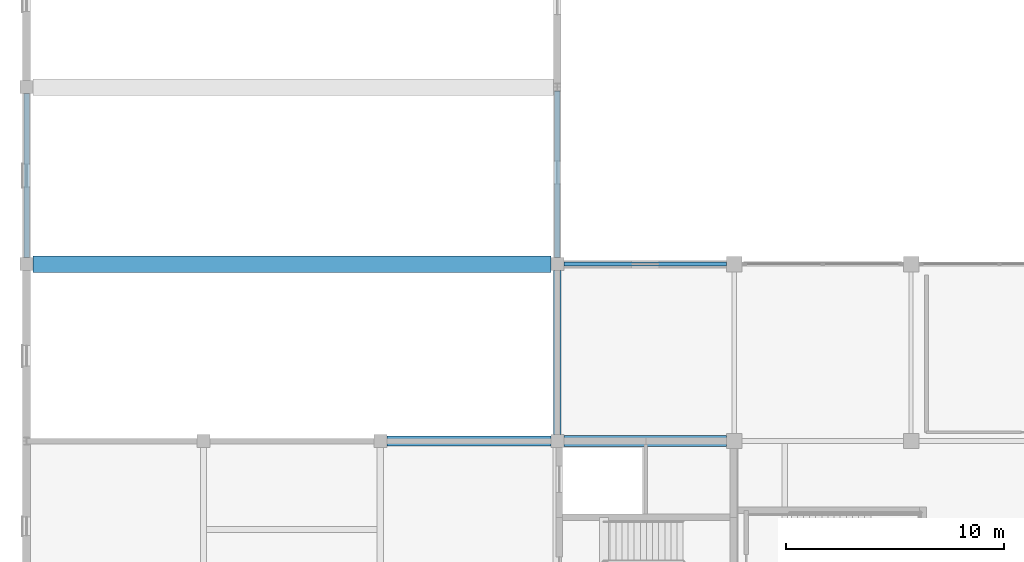
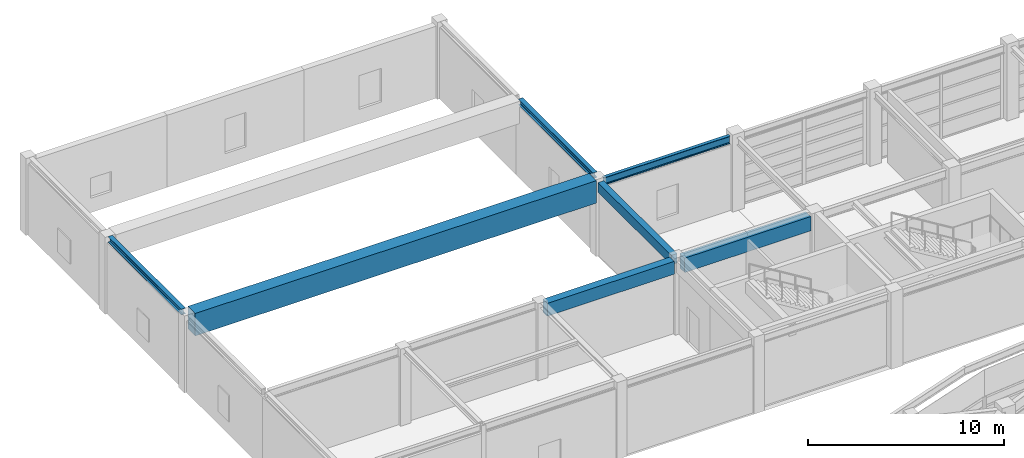
# One storey, part 25 of 58: 7 beams.
"""IFC4 building model written with IfcOpenShell, lengths in metres."""

import ifcopenshell
import ifcopenshell.guid

model = None  # the IFC model being written
_history = None  # IfcOwnerHistory: only IFC2X3 demands one
_inside = {}  # id of a spatial element -> (the spatial element, [elements in it])
_under = {}  # id of a project, library or spatial element -> (it, [spatial elements below it])
_declared = {}  # id of a project -> (the project, [libraries it declares])
_typed = {}  # id of a type object -> (the type object, [elements of that type])
_made_of = {}  # id of a material, layer set ... -> (it, [elements and type objects made of it])


def new_model(schema):
    """Start an empty IFC model of exactly this schema.

    Asked for "IFC4X3", IfcOpenShell would pick the latest addendum, in which some entities
    have other attributes; the version numbers below select the first issue.
    IFC2X3 requires an IfcOwnerHistory on every rooted entity: one is made here for all.
    """
    global model, _history
    if schema == "IFC4X3":
        model = ifcopenshell.file(schema_version=(4, 3, 0, 0))
    else:
        model = ifcopenshell.file(schema=schema)
    _inside.clear()
    _under.clear()
    _declared.clear()
    _typed.clear()
    _made_of.clear()
    _history = None
    if model.schema == "IFC2X3":
        org = make("IfcOrganization", Name="unknown")
        user = make(
            "IfcPersonAndOrganization",
            ThePerson=make("IfcPerson", FamilyName="unknown"),
            TheOrganization=org,
        )
        app = make(
            "IfcApplication",
            ApplicationDeveloper=org,
            Version="unknown",
            ApplicationFullName="unknown",
            ApplicationIdentifier="unknown",
        )
        _history = make(
            "IfcOwnerHistory",
            OwningUser=user,
            OwningApplication=app,
            ChangeAction="ADDED",
            CreationDate=0,
        )
    return model


def make(cls, **values):
    """One entity of the class cls with the attributes given. An attribute that is None is left unset."""
    return model.create_entity(
        cls, **{name: value for name, value in values.items() if value is not None}
    )


def rooted(cls, **values):
    """An entity with a GlobalId (a new one), such as an element, a storey or a relation."""
    return make(cls, GlobalId=ifcopenshell.guid.new(), OwnerHistory=_history, **values)


def si_unit(unit_type, name, prefix=None):
    """IfcSIUnit, for example si_unit("LENGTHUNIT", "METRE", prefix="MILLI")."""
    return make("IfcSIUnit", UnitType=unit_type, Prefix=prefix, Name=name)


def assignment(units):
    """IfcUnitAssignment: the units of a project."""
    return None if units is None else make("IfcUnitAssignment", Units=units)


def point(xyz):
    """IfcCartesianPoint."""
    return None if xyz is None else make("IfcCartesianPoint", Coordinates=xyz)


def direction(xyz):
    """IfcDirection."""
    return None if xyz is None else make("IfcDirection", DirectionRatios=xyz)


def frame(location, z_axis=None, x_axis=None):
    """IfcAxis2Placement3D, a coordinate frame: its origin and axes. An axis left out is left unset."""
    return make(
        "IfcAxis2Placement3D",
        Location=point(location),
        Axis=direction(z_axis),
        RefDirection=direction(x_axis),
    )


def frame_2d(location, x_axis=None):
    """IfcAxis2Placement2D, a coordinate frame in the plane: its origin and x axis."""
    return make(
        "IfcAxis2Placement2D", Location=point(location), RefDirection=direction(x_axis)
    )


def origin():
    """The frame at (0, 0, 0) with its axes left unset."""
    return frame((0.0, 0.0, 0.0))


def origin_2d():
    """The frame at (0, 0) in the plane with its x axis left unset."""
    return frame_2d((0.0, 0.0))


def place(relative_to, where):
    """IfcLocalPlacement: puts the frame where relative to a parent placement (None: the world)."""
    return make(
        "IfcLocalPlacement", PlacementRelTo=relative_to, RelativePlacement=where
    )


def context(
    kind, dimensions, precision=None, world=None, true_north=None, identifier=None
):
    """IfcGeometricRepresentationContext, for example the 3D "Model" context."""
    return make(
        "IfcGeometricRepresentationContext",
        ContextIdentifier=identifier,
        ContextType=kind,
        CoordinateSpaceDimension=dimensions,
        Precision=precision,
        WorldCoordinateSystem=world,
        TrueNorth=true_north,
    )


def subcontext(parent, identifier, kind, view, scale=None):
    """IfcGeometricRepresentationSubContext, for example "Body" below "Model"."""
    return make(
        "IfcGeometricRepresentationSubContext",
        ContextIdentifier=identifier,
        ContextType=kind,
        ParentContext=parent,
        TargetScale=scale,
        TargetView=view,
    )


def project(units=None, contexts=None):
    """IfcProject with its units and contexts."""
    return rooted(
        "IfcProject",
        Name="project",
        RepresentationContexts=contexts,
        UnitsInContext=assignment(units),
    )


def spatial(cls, under=None, at=None, **own):
    """A site, building, storey or space (cls), placed at a placement, below another one or the project."""
    s = rooted(cls, ObjectPlacement=at, **own)
    if under is not None:
        _under.setdefault(under.id(), (under, []))[1].append(s)
    return s


def profile(cls, at=None, kind="AREA", **sizes):
    """A parametric profile (cls). Its sizes go by their IFC names, for example OverallWidth=200.0."""
    return make(cls, ProfileType=kind, Position=at, **sizes)


def rectangle(**sizes):
    """IfcRectangleProfileDef."""
    return profile("IfcRectangleProfileDef", **sizes)


def i_section(**sizes):
    """IfcIShapeProfileDef."""
    return profile("IfcIShapeProfileDef", **sizes)


def extrude(swept, where, along, depth):
    """IfcExtrudedAreaSolid: the profile swept, set in the frame where, extruded along a direction by depth."""
    return make(
        "IfcExtrudedAreaSolid",
        SweptArea=swept,
        Position=where,
        ExtrudedDirection=direction(along),
        Depth=depth,
    )


def shape(context_of_items, identifier, shape_type, items):
    """IfcShapeRepresentation: the items that make up one representation, for example the "Body"."""
    return make(
        "IfcShapeRepresentation",
        ContextOfItems=context_of_items,
        RepresentationIdentifier=identifier,
        RepresentationType=shape_type,
        Items=items,
    )


def material(Name=None, Category=None):
    """IfcMaterial."""
    return make("IfcMaterial", Name=Name, Category=Category)


def material_profile(
    of_material, cross_section, Name=None, Category=None, Priority=None
):
    """IfcMaterialProfile: a cross section and its material."""
    return make(
        "IfcMaterialProfile",
        Name=Name,
        Material=of_material,
        Profile=cross_section,
        Priority=Priority,
        Category=Category,
    )


def profile_set(profiles, Name=None, composite=None):
    """IfcMaterialProfileSet."""
    return make(
        "IfcMaterialProfileSet",
        Name=Name,
        MaterialProfiles=profiles,
        CompositeProfile=composite,
    )


def made_of(thing, what):
    """Note that an element or type object is made of a material, layer set ...; save() writes the relation."""
    if what is not None:
        _made_of.setdefault(what.id(), (what, []))[1].append(thing)
    return thing


def type_object(cls, material=None, **own):
    """A type object (cls), such as IfcWallType, which elements share."""
    return made_of(rooted(cls, **own), material)


def element(
    cls,
    number,
    at=None,
    inside=None,
    cuts=None,
    type_object=None,
    material=None,
    context=None,
    identifier="Body",
    shape_type=None,
    held_by="IfcProductDefinitionShape",
    body=None,
    shapes=None,
    **own,
):
    """One element of the class cls, such as IfcWall. Its Tag is "e" and its number.

    at: its placement. inside: the storey or other place that contains it. cuts: it is an
    opening in that element (IfcRelVoidsElement). A single representation is given by context,
    identifier, shape_type and body (its items); several are given by shapes. held_by: the class
    of the entity that holds the representations. save() writes the other relations.
    """
    e = rooted(cls, Tag="e%d" % number, ObjectPlacement=at, **own)
    if body is not None:
        shapes = [shape(context, identifier, shape_type, body)]
    if shapes is not None:
        e.Representation = make(held_by, Representations=shapes)
    if inside is not None:
        _inside.setdefault(inside.id(), (inside, []))[1].append(e)
    if cuts is not None:
        rooted(
            "IfcRelVoidsElement", RelatingBuildingElement=cuts, RelatedOpeningElement=e
        )
    if type_object is not None:
        _typed.setdefault(type_object.id(), (type_object, []))[1].append(e)
    return made_of(e, material)


def aggregate(whole, parts):
    """IfcRelAggregates: a whole, such as a stair, and the parts it consists of."""
    return rooted("IfcRelAggregates", RelatingObject=whole, RelatedObjects=parts)


def save(model, path):
    """Write the relations noted so far, then the file.

    IfcRelAggregates (storeys below a building ...), IfcRelContainedInSpatialStructure (elements
    in a storey), IfcRelDefinesByType, IfcRelAssociatesMaterial and IfcRelDeclares: one each for
    every whole, place, type object, material and project.
    """
    for whole, parts in _under.values():
        aggregate(whole, parts)
    for where, things in _inside.values():
        rooted(
            "IfcRelContainedInSpatialStructure",
            RelatedElements=things,
            RelatingStructure=where,
        )
    for kind, things in _typed.values():
        rooted("IfcRelDefinesByType", RelatedObjects=things, RelatingType=kind)
    for what, things in _made_of.values():
        rooted("IfcRelAssociatesMaterial", RelatedObjects=things, RelatingMaterial=what)
    for by, libraries in _declared.values():
        rooted("IfcRelDeclares", RelatingContext=by, RelatedDefinitions=libraries)
    model.write(path)


model = new_model("IFC4")

# Units and contexts
model_context = context("Model", 3, precision=1e-05, world=origin(), true_north=direction((0.0, 1.0)))
body_context = subcontext(model_context, "Body", "Model", "MODEL_VIEW")
ifc_project = project(units=[si_unit("LENGTHUNIT", "METRE"), si_unit("AREAUNIT", "SQUARE_METRE"), si_unit("VOLUMEUNIT", "CUBIC_METRE"), si_unit("PLANEANGLEUNIT", "RADIAN"), si_unit("MASSUNIT", "GRAM", prefix="KILO")], contexts=[model_context])

# Site, building, storey
site_placement = place(None, origin())
site = spatial("IfcSite", under=ifc_project, at=site_placement, CompositionType="ELEMENT")
building_placement = place(site_placement, origin())
building = spatial("IfcBuilding", under=site, at=building_placement, Name="Parian Resonance Hall", CompositionType="ELEMENT")
storey_placement = place(building_placement, frame((0.0, 0.0, 10.199951171875)))
storey = spatial("IfcBuildingStorey", under=building, at=storey_placement, Name="L02", CompositionType="ELEMENT", Elevation=10.199951171875)

# Beams
ifc_material_1 = material(Name="Concrete C40/50", Category="concrete")
ifc_material_profile_1 = material_profile(ifc_material_1, rectangle(XDim=0.35009765625, YDim=0.60009765625, at=origin_2d()), Name="RC-BM-350x600")
ifc_profile_set_1 = profile_set([ifc_material_profile_1], Name="Concrete C40/50")
beam_type_1 = type_object("IfcBeamType", Name="BM-RC350x600", PredefinedType="BEAM", material=ifc_profile_set_1)
beam_1_placement = place(storey_placement, frame((24.300048828125, 81.300048828125, 4.2900390625), z_axis=(0.0, 1.0, 0.0), x_axis=(-1.0, 0.0, 0.0)))
element("IfcBeam", 1, at=beam_1_placement, inside=storey, type_object=beam_type_1, Name="GY-L02-0747", PredefinedType="BEAM", context=body_context, shape_type="SweptSolid", body=[
    extrude(rectangle(XDim=0.35009765625, YDim=0.60009765625, at=origin_2d()), origin(), (0.0, 0.0, 1.0), 7.5),
])
ifc_material_2 = material(Name="Concrete C40/50", Category="concrete")
ifc_material_profile_2 = material_profile(ifc_material_2, rectangle(XDim=0.449951171875, YDim=0.800048828125, at=origin_2d()), Name="RC-BM-450x800")
ifc_profile_set_2 = profile_set([ifc_material_profile_2], Name="Concrete C40/50")
beam_type_2 = type_object("IfcBeamType", Name="BM-RC450x800", PredefinedType="USERDEFINED", material=ifc_profile_set_2)
beam_2_placement = place(storey_placement, frame((16.5, 81.0, 4.179931640625), z_axis=(1.0, 0.0, 0.0), x_axis=(0.0, 1.0, 0.0)))
element("IfcBeam", 2, at=beam_2_placement, inside=storey, type_object=beam_type_2, Name="GX-L02-0664", ObjectType="GIRDER", PredefinedType="USERDEFINED", context=body_context, shape_type="SweptSolid", body=[
    extrude(rectangle(XDim=0.449951171875, YDim=0.800048828125, at=origin_2d()), origin(), (0.0, 0.0, 1.0), 7.5),
])
ifc_material_3 = material(Name="Concrete C40/50", Category="concrete")
ifc_material_profile_3 = material_profile(ifc_material_3, rectangle(XDim=0.5, YDim=0.89990234375, at=origin_2d()), Name="RC-BM-500x900")
ifc_profile_set_3 = profile_set([ifc_material_profile_3], Name="Concrete C40/50")
beam_type_3 = type_object("IfcBeamType", Name="BM-RC500x900", PredefinedType="USERDEFINED", material=ifc_profile_set_3)
beam_3_placement = place(storey_placement, frame((24.60009765625, 81.0, 4.130126953125), z_axis=(1.0, 0.0, 0.0), x_axis=(0.0, 1.0, 0.0)))
element("IfcBeam", 3, at=beam_3_placement, inside=storey, type_object=beam_type_3, Name="GX-L02-0666", ObjectType="GIRDER", PredefinedType="USERDEFINED", context=body_context, shape_type="SweptSolid", body=[
    extrude(rectangle(XDim=0.5, YDim=0.89990234375, at=origin_2d()), origin(), (0.0, 0.0, 1.0), 7.449951171875),
])
ifc_material_4 = material(Name="Concrete C40/50", Category="concrete")
ifc_material_profile_4 = material_profile(ifc_material_4, rectangle(XDim=0.75, YDim=1.39990234375, at=origin_2d()), Name="RC-TG-750x1400")
ifc_profile_set_4 = profile_set([ifc_material_profile_4], Name="Concrete C40/50")
beam_type_4 = type_object("IfcBeamType", Name="BM-RCTG750x1400", PredefinedType="USERDEFINED", material=ifc_profile_set_4)
beam_4_placement = place(storey_placement, frame((0.300048828125, 89.10009765625, 4.10009765625), z_axis=(1.0, 0.0, 0.0), x_axis=(0.0, 1.0, 0.0)))
element("IfcBeam", 4, at=beam_4_placement, inside=storey, type_object=beam_type_4, Name="Chamber Music Hall clear-span roof transfer girder 1", ObjectType="GIRDER", PredefinedType="USERDEFINED", context=body_context, shape_type="SweptSolid", body=[
    extrude(rectangle(XDim=0.75, YDim=1.39990234375, at=origin_2d()), origin(), (0.0, 0.0, 1.0), 23.699951171875),
])
ifc_material_5 = material(Name="Steel S355", Category="steel")
ifc_material_profile_5 = material_profile(ifc_material_5, i_section(OverallWidth=0.2548828125, OverallDepth=0.35693359375, WebThickness=0.010498046875, FlangeThickness=0.018310546875, FilletRadius=0.01513671875, at=origin_2d()), Name="W360x101")
ifc_profile_set_5 = profile_set([ifc_material_profile_5], Name="Steel S355")
beam_type_5 = type_object("IfcBeamType", Name="BM-W360x101", PredefinedType="SPANDREL", material=ifc_profile_set_5)
beam_5_placement = place(storey_placement, frame((0.0, 89.39990234375, 4.62158203125), z_axis=(0.0, 1.0, 0.0), x_axis=(-1.0, 0.0, 0.0)))
element("IfcBeam", 5, at=beam_5_placement, inside=storey, type_object=beam_type_5, Name="GY-L02-0742", PredefinedType="SPANDREL", context=body_context, shape_type="SweptSolid", body=[
    extrude(i_section(OverallWidth=0.2548828125, OverallDepth=0.35693359375, WebThickness=0.010498046875, FlangeThickness=0.018310546875, FilletRadius=0.01513671875, at=origin_2d()), origin(), (0.0, 0.0, 1.0), 7.5),
])
beam_6_placement = place(storey_placement, frame((24.300048828125, 89.39990234375, 4.62158203125), z_axis=(0.0, 1.0, 0.0), x_axis=(-1.0, 0.0, 0.0)))
element("IfcBeam", 6, at=beam_6_placement, inside=storey, type_object=beam_type_5, Name="GY-L02-0748", PredefinedType="SPANDREL", context=body_context, shape_type="SweptSolid", body=[
    extrude(i_section(OverallWidth=0.2548828125, OverallDepth=0.35693359375, WebThickness=0.010498046875, FlangeThickness=0.018310546875, FilletRadius=0.01513671875, at=origin_2d()), origin(), (0.0, 0.0, 1.0), 7.62158203125),
])
ifc_material_6 = material(Name="Steel S355", Category="steel")
ifc_material_profile_6 = material_profile(ifc_material_6, i_section(OverallWidth=0.194091796875, OverallDepth=0.468994140625, WebThickness=0.0126953125, FlangeThickness=0.0205078125, FilletRadius=0.01513671875, at=origin_2d()), Name="W460x106")
ifc_profile_set_6 = profile_set([ifc_material_profile_6], Name="Steel S355")
beam_type_6 = type_object("IfcBeamType", Name="BM-W460x106", PredefinedType="SPANDREL", material=ifc_profile_set_6)
beam_7_placement = place(storey_placement, frame((24.60009765625, 89.10009765625, 4.35546875), z_axis=(1.0, 0.0, 0.0), x_axis=(0.0, 1.0, 0.0)))
element("IfcBeam", 7, at=beam_7_placement, inside=storey, type_object=beam_type_6, Name="GX-L02-0667", PredefinedType="SPANDREL", context=body_context, shape_type="SweptSolid", body=[
    extrude(i_section(OverallWidth=0.194091796875, OverallDepth=0.468994140625, WebThickness=0.0126953125, FlangeThickness=0.0205078125, FilletRadius=0.01513671875, at=origin_2d()), origin(), (0.0, 0.0, 1.0), 7.449951171875),
])

save(model, "model.ifc")
